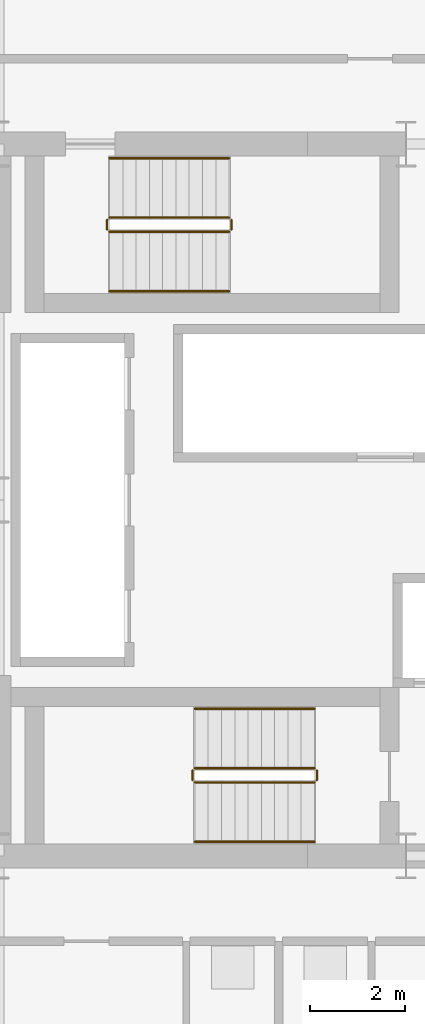
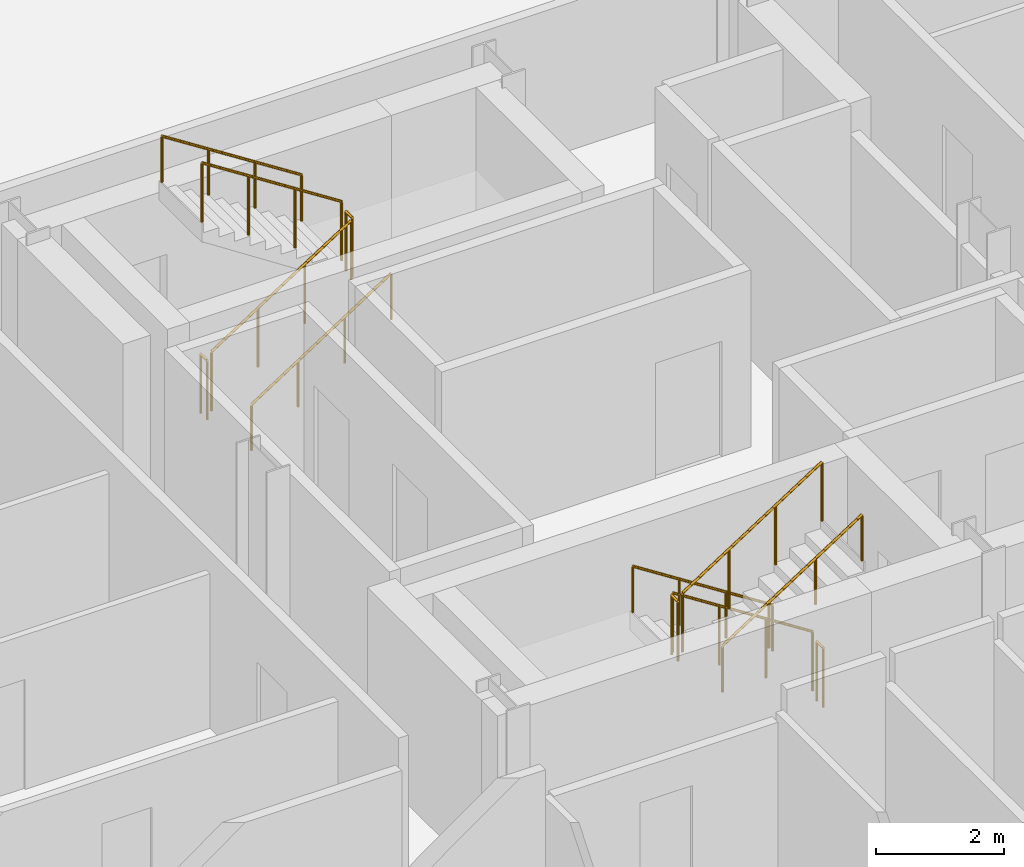
# One storey, part 22 of 23: 12 railings.
"""IFC4 building model written with IfcOpenShell, lengths in metres."""

import ifcopenshell
import ifcopenshell.guid

model = None  # the IFC model being written
_history = None  # IfcOwnerHistory: only IFC2X3 demands one
_inside = {}  # id of a spatial element -> (the spatial element, [elements in it])
_under = {}  # id of a project, library or spatial element -> (it, [spatial elements below it])
_declared = {}  # id of a project -> (the project, [libraries it declares])
_typed = {}  # id of a type object -> (the type object, [elements of that type])
_made_of = {}  # id of a material, layer set ... -> (it, [elements and type objects made of it])


def new_model(schema):
    """Start an empty IFC model of exactly this schema.

    Asked for "IFC4X3", IfcOpenShell would pick the latest addendum, in which some entities
    have other attributes; the version numbers below select the first issue.
    IFC2X3 requires an IfcOwnerHistory on every rooted entity: one is made here for all.
    """
    global model, _history
    if schema == "IFC4X3":
        model = ifcopenshell.file(schema_version=(4, 3, 0, 0))
    else:
        model = ifcopenshell.file(schema=schema)
    _inside.clear()
    _under.clear()
    _declared.clear()
    _typed.clear()
    _made_of.clear()
    _history = None
    if model.schema == "IFC2X3":
        org = make("IfcOrganization", Name="unknown")
        user = make(
            "IfcPersonAndOrganization",
            ThePerson=make("IfcPerson", FamilyName="unknown"),
            TheOrganization=org,
        )
        app = make(
            "IfcApplication",
            ApplicationDeveloper=org,
            Version="unknown",
            ApplicationFullName="unknown",
            ApplicationIdentifier="unknown",
        )
        _history = make(
            "IfcOwnerHistory",
            OwningUser=user,
            OwningApplication=app,
            ChangeAction="ADDED",
            CreationDate=0,
        )
    return model


def make(cls, **values):
    """One entity of the class cls with the attributes given. An attribute that is None is left unset."""
    return model.create_entity(
        cls, **{name: value for name, value in values.items() if value is not None}
    )


def rooted(cls, **values):
    """An entity with a GlobalId (a new one), such as an element, a storey or a relation."""
    return make(cls, GlobalId=ifcopenshell.guid.new(), OwnerHistory=_history, **values)


def si_unit(unit_type, name, prefix=None):
    """IfcSIUnit, for example si_unit("LENGTHUNIT", "METRE", prefix="MILLI")."""
    return make("IfcSIUnit", UnitType=unit_type, Prefix=prefix, Name=name)


def assignment(units):
    """IfcUnitAssignment: the units of a project."""
    return None if units is None else make("IfcUnitAssignment", Units=units)


def point(xyz):
    """IfcCartesianPoint."""
    return None if xyz is None else make("IfcCartesianPoint", Coordinates=xyz)


def direction(xyz):
    """IfcDirection."""
    return None if xyz is None else make("IfcDirection", DirectionRatios=xyz)


def frame(location, z_axis=None, x_axis=None):
    """IfcAxis2Placement3D, a coordinate frame: its origin and axes. An axis left out is left unset."""
    return make(
        "IfcAxis2Placement3D",
        Location=point(location),
        Axis=direction(z_axis),
        RefDirection=direction(x_axis),
    )


def frame_2d(location, x_axis=None):
    """IfcAxis2Placement2D, a coordinate frame in the plane: its origin and x axis."""
    return make(
        "IfcAxis2Placement2D", Location=point(location), RefDirection=direction(x_axis)
    )


def origin():
    """The frame at (0, 0, 0) with its axes left unset."""
    return frame((0.0, 0.0, 0.0))


def origin_2d():
    """The frame at (0, 0) in the plane with its x axis left unset."""
    return frame_2d((0.0, 0.0))


def place(relative_to, where):
    """IfcLocalPlacement: puts the frame where relative to a parent placement (None: the world)."""
    return make(
        "IfcLocalPlacement", PlacementRelTo=relative_to, RelativePlacement=where
    )


def context(
    kind, dimensions, precision=None, world=None, true_north=None, identifier=None
):
    """IfcGeometricRepresentationContext, for example the 3D "Model" context."""
    return make(
        "IfcGeometricRepresentationContext",
        ContextIdentifier=identifier,
        ContextType=kind,
        CoordinateSpaceDimension=dimensions,
        Precision=precision,
        WorldCoordinateSystem=world,
        TrueNorth=true_north,
    )


def subcontext(parent, identifier, kind, view, scale=None):
    """IfcGeometricRepresentationSubContext, for example "Body" below "Model"."""
    return make(
        "IfcGeometricRepresentationSubContext",
        ContextIdentifier=identifier,
        ContextType=kind,
        ParentContext=parent,
        TargetScale=scale,
        TargetView=view,
    )


def project(units=None, contexts=None):
    """IfcProject with its units and contexts."""
    return rooted(
        "IfcProject",
        Name="project",
        RepresentationContexts=contexts,
        UnitsInContext=assignment(units),
    )


def spatial(cls, under=None, at=None, **own):
    """A site, building, storey or space (cls), placed at a placement, below another one or the project."""
    s = rooted(cls, ObjectPlacement=at, **own)
    if under is not None:
        _under.setdefault(under.id(), (under, []))[1].append(s)
    return s


def profile(cls, at=None, kind="AREA", **sizes):
    """A parametric profile (cls). Its sizes go by their IFC names, for example OverallWidth=200.0."""
    return make(cls, ProfileType=kind, Position=at, **sizes)


def circle(**sizes):
    """IfcCircleProfileDef."""
    return profile("IfcCircleProfileDef", **sizes)


def extrude(swept, where, along, depth):
    """IfcExtrudedAreaSolid: the profile swept, set in the frame where, extruded along a direction by depth."""
    return make(
        "IfcExtrudedAreaSolid",
        SweptArea=swept,
        Position=where,
        ExtrudedDirection=direction(along),
        Depth=depth,
    )


def shape(context_of_items, identifier, shape_type, items):
    """IfcShapeRepresentation: the items that make up one representation, for example the "Body"."""
    return make(
        "IfcShapeRepresentation",
        ContextOfItems=context_of_items,
        RepresentationIdentifier=identifier,
        RepresentationType=shape_type,
        Items=items,
    )


def material(Name=None, Category=None):
    """IfcMaterial."""
    return make("IfcMaterial", Name=Name, Category=Category)


def made_of(thing, what):
    """Note that an element or type object is made of a material, layer set ...; save() writes the relation."""
    if what is not None:
        _made_of.setdefault(what.id(), (what, []))[1].append(thing)
    return thing


def type_object(cls, material=None, **own):
    """A type object (cls), such as IfcWallType, which elements share."""
    return made_of(rooted(cls, **own), material)


def element(
    cls,
    number,
    at=None,
    inside=None,
    cuts=None,
    type_object=None,
    material=None,
    context=None,
    identifier="Body",
    shape_type=None,
    held_by="IfcProductDefinitionShape",
    body=None,
    shapes=None,
    **own,
):
    """One element of the class cls, such as IfcWall. Its Tag is "e" and its number.

    at: its placement. inside: the storey or other place that contains it. cuts: it is an
    opening in that element (IfcRelVoidsElement). A single representation is given by context,
    identifier, shape_type and body (its items); several are given by shapes. held_by: the class
    of the entity that holds the representations. save() writes the other relations.
    """
    e = rooted(cls, Tag="e%d" % number, ObjectPlacement=at, **own)
    if body is not None:
        shapes = [shape(context, identifier, shape_type, body)]
    if shapes is not None:
        e.Representation = make(held_by, Representations=shapes)
    if inside is not None:
        _inside.setdefault(inside.id(), (inside, []))[1].append(e)
    if cuts is not None:
        rooted(
            "IfcRelVoidsElement", RelatingBuildingElement=cuts, RelatedOpeningElement=e
        )
    if type_object is not None:
        _typed.setdefault(type_object.id(), (type_object, []))[1].append(e)
    return made_of(e, material)


def aggregate(whole, parts):
    """IfcRelAggregates: a whole, such as a stair, and the parts it consists of."""
    return rooted("IfcRelAggregates", RelatingObject=whole, RelatedObjects=parts)


def save(model, path):
    """Write the relations noted so far, then the file.

    IfcRelAggregates (storeys below a building ...), IfcRelContainedInSpatialStructure (elements
    in a storey), IfcRelDefinesByType, IfcRelAssociatesMaterial and IfcRelDeclares: one each for
    every whole, place, type object, material and project.
    """
    for whole, parts in _under.values():
        aggregate(whole, parts)
    for where, things in _inside.values():
        rooted(
            "IfcRelContainedInSpatialStructure",
            RelatedElements=things,
            RelatingStructure=where,
        )
    for kind, things in _typed.values():
        rooted("IfcRelDefinesByType", RelatedObjects=things, RelatingType=kind)
    for what, things in _made_of.values():
        rooted("IfcRelAssociatesMaterial", RelatedObjects=things, RelatingMaterial=what)
    for by, libraries in _declared.values():
        rooted("IfcRelDeclares", RelatingContext=by, RelatedDefinitions=libraries)
    model.write(path)


model = new_model("IFC4")

# Units and contexts
model_context = context("Model", 3, precision=1e-05, world=origin(), true_north=direction((0.0, 1.0)))
body_context = subcontext(model_context, "Body", "Model", "MODEL_VIEW")
ifc_project = project(units=[si_unit("LENGTHUNIT", "METRE"), si_unit("AREAUNIT", "SQUARE_METRE"), si_unit("VOLUMEUNIT", "CUBIC_METRE"), si_unit("PLANEANGLEUNIT", "RADIAN"), si_unit("MASSUNIT", "GRAM", prefix="KILO")], contexts=[model_context])

# Site, building, storey
site_placement = place(None, origin())
site = spatial("IfcSite", under=ifc_project, at=site_placement, CompositionType="ELEMENT")
building_placement = place(site_placement, origin())
building = spatial("IfcBuilding", under=site, at=building_placement, Name="Barlavira Tower and Art Museum", CompositionType="ELEMENT")
storey_placement = place(building_placement, frame((0.0, 0.0, 68.39990234375)))
storey = spatial("IfcBuildingStorey", under=building, at=storey_placement, Name="L16", CompositionType="ELEMENT", Elevation=68.39990234375)

# Railings
ifc_material = material(Name="Brushed stainless steel", Category="steel")
railing_type_1 = type_object("IfcRailingType", Name="Interior Void and Landing Guard Railing 1150", PredefinedType="GUARDRAIL", material=ifc_material)
railing_1_placement = place(storey_placement, frame((0.14990234375, -5.64990234375, 0.18017578125)))
element("IfcRailing", 1, at=railing_1_placement, inside=storey, type_object=railing_type_1, Name="L16 ST-T1 stair guard 1", PredefinedType="GUARDRAIL", context=body_context, shape_type="SweptSolid", body=[
    extrude(circle(Radius=0.02392578125, at=origin_2d()), frame((0.0, 0.0, 1.1259765625), z_axis=(-0.841199657755, 0.0, 0.540724639528), x_axis=(0.0, -1.0, 0.0)), (0.0, 0.0, 1.0), 2.995849609375),
    extrude(circle(Radius=0.02099609375, at=origin_2d()), origin(), (0.0, 0.0, 1.0), 1.101806640625),
    extrude(circle(Radius=0.02099609375, at=origin_2d()), frame((-0.840087890625, 0.0, 0.5400390625)), (0.0, 0.0, 1.0), 1.101806640625),
    extrude(circle(Radius=0.02099609375, at=origin_2d()), frame((-1.679931640625, 0.0, 1.079833984375)), (0.0, 0.0, 1.0), 1.101806640625),
    extrude(circle(Radius=0.02099609375, at=origin_2d()), frame((-2.52001953125, 0.0, 1.619873046875)), (0.0, 0.0, 1.0), 1.101806640625),
])
railing_2_placement = place(storey_placement, frame((-2.419921875, -5.699951171875, 1.800048828125)))
element("IfcRailing", 2, at=railing_2_placement, inside=storey, type_object=railing_type_1, Name="L16 ST-T1 stair guard 2", PredefinedType="GUARDRAIL", context=body_context, shape_type="SweptSolid", body=[
    extrude(circle(Radius=0.02392578125, at=origin_2d()), frame((0.0, 0.0, 1.1259765625), z_axis=(0.0, -1.0, 0.0), x_axis=(1.0, 0.0, 0.0)), (0.0, 0.0, 1.0), 0.199951171875),
    extrude(circle(Radius=0.02099609375, at=origin_2d()), origin(), (0.0, 0.0, 1.0), 1.101806640625),
    extrude(circle(Radius=0.02099609375, at=origin_2d()), frame((0.0, -0.199951171875, 0.0)), (0.0, 0.0, 1.0), 1.101806640625),
])
railing_3_placement = place(storey_placement, frame((-2.3701171875, -5.949951171875, 1.97998046875)))
element("IfcRailing", 3, at=railing_3_placement, inside=storey, type_object=railing_type_1, Name="L16 ST-T1 stair guard 3", PredefinedType="GUARDRAIL", context=body_context, shape_type="SweptSolid", body=[
    extrude(circle(Radius=0.02392578125, at=origin_2d()), frame((0.0, 0.0, 1.1259765625), z_axis=(0.841162588446, 0.0, 0.540782303519), x_axis=(0.0, 1.0, 0.0)), (0.0, 0.0, 1.0), 2.995849609375),
    extrude(circle(Radius=0.02099609375, at=origin_2d()), origin(), (0.0, 0.0, 1.0), 1.101806640625),
    extrude(circle(Radius=0.02099609375, at=origin_2d()), frame((0.840087890625, 0.0, 0.5400390625)), (0.0, 0.0, 1.0), 1.101806640625),
    extrude(circle(Radius=0.02099609375, at=origin_2d()), frame((1.679931640625, 0.0, 1.080078125)), (0.0, 0.0, 1.0), 1.101806640625),
    extrude(circle(Radius=0.02099609375, at=origin_2d()), frame((2.52001953125, 0.0, 1.6201171875)), (0.0, 0.0, 1.0), 1.101806640625),
])
railing_4_placement = place(storey_placement, frame((0.199951171875, -5.699951171875, 0.0)))
element("IfcRailing", 4, at=railing_4_placement, inside=storey, type_object=railing_type_1, Name="L16 ST-T1 stair guard 4", PredefinedType="GUARDRAIL", context=body_context, shape_type="SweptSolid", body=[
    extrude(circle(Radius=0.02392578125, at=origin_2d()), frame((0.0, 0.0, 1.1259765625), z_axis=(0.0, -1.0, 0.0), x_axis=(1.0, 0.0, 0.0)), (0.0, 0.0, 1.0), 0.199951171875),
    extrude(circle(Radius=0.02099609375, at=origin_2d()), origin(), (0.0, 0.0, 1.0), 1.101806640625),
    extrude(circle(Radius=0.02099609375, at=origin_2d()), frame((0.0, -0.199951171875, 0.0)), (0.0, 0.0, 1.0), 1.101806640625),
])
railing_5_placement = place(storey_placement, frame((-4.169921875, 5.64990234375, 0.18017578125)))
element("IfcRailing", 5, at=railing_5_placement, inside=storey, type_object=railing_type_1, Name="L16 ST-T2 stair guard 1", PredefinedType="GUARDRAIL", context=body_context, shape_type="SweptSolid", body=[
    extrude(circle(Radius=0.02392578125, at=origin_2d()), frame((0.0, 0.0, 1.1259765625), z_axis=(0.841199657755, 0.0, 0.540724639528), x_axis=(0.0, 1.0, 0.0)), (0.0, 0.0, 1.0), 2.995849609375),
    extrude(circle(Radius=0.02099609375, at=origin_2d()), origin(), (0.0, 0.0, 1.0), 1.101806640625),
    extrude(circle(Radius=0.02099609375, at=origin_2d()), frame((0.840087890625, 0.0, 0.5400390625)), (0.0, 0.0, 1.0), 1.101806640625),
    extrude(circle(Radius=0.02099609375, at=origin_2d()), frame((1.679931640625, 0.0, 1.079833984375)), (0.0, 0.0, 1.0), 1.101806640625),
    extrude(circle(Radius=0.02099609375, at=origin_2d()), frame((2.52001953125, 0.0, 1.619873046875)), (0.0, 0.0, 1.0), 1.101806640625),
])
railing_6_placement = place(storey_placement, frame((-1.60009765625, 5.699951171875, 1.800048828125)))
element("IfcRailing", 6, at=railing_6_placement, inside=storey, type_object=railing_type_1, Name="L16 ST-T2 stair guard 2", PredefinedType="GUARDRAIL", context=body_context, shape_type="SweptSolid", body=[
    extrude(circle(Radius=0.02392578125, at=origin_2d()), frame((0.0, 0.0, 1.1259765625), z_axis=(0.0, 1.0, 0.0), x_axis=(-1.0, 0.0, 0.0)), (0.0, 0.0, 1.0), 0.199951171875),
    extrude(circle(Radius=0.02099609375, at=origin_2d()), origin(), (0.0, 0.0, 1.0), 1.101806640625),
    extrude(circle(Radius=0.02099609375, at=origin_2d()), frame((0.0, 0.199951171875, 0.0)), (0.0, 0.0, 1.0), 1.101806640625),
])
railing_7_placement = place(storey_placement, frame((-1.64990234375, 5.949951171875, 1.97998046875)))
element("IfcRailing", 7, at=railing_7_placement, inside=storey, type_object=railing_type_1, Name="L16 ST-T2 stair guard 3", PredefinedType="GUARDRAIL", context=body_context, shape_type="SweptSolid", body=[
    extrude(circle(Radius=0.02392578125, at=origin_2d()), frame((0.0, 0.0, 1.1259765625), z_axis=(-0.841162588446, 0.0, 0.540782303519), x_axis=(0.0, -1.0, 0.0)), (0.0, 0.0, 1.0), 2.995849609375),
    extrude(circle(Radius=0.02099609375, at=origin_2d()), origin(), (0.0, 0.0, 1.0), 1.101806640625),
    extrude(circle(Radius=0.02099609375, at=origin_2d()), frame((-0.840087890625, 0.0, 0.5400390625)), (0.0, 0.0, 1.0), 1.101806640625),
    extrude(circle(Radius=0.02099609375, at=origin_2d()), frame((-1.679931640625, 0.0, 1.080078125)), (0.0, 0.0, 1.0), 1.101806640625),
    extrude(circle(Radius=0.02099609375, at=origin_2d()), frame((-2.52001953125, 0.0, 1.6201171875)), (0.0, 0.0, 1.0), 1.101806640625),
])
railing_8_placement = place(storey_placement, frame((-4.219970703125, 5.699951171875, 0.0)))
element("IfcRailing", 8, at=railing_8_placement, inside=storey, type_object=railing_type_1, Name="L16 ST-T2 stair guard 4", PredefinedType="GUARDRAIL", context=body_context, shape_type="SweptSolid", body=[
    extrude(circle(Radius=0.02392578125, at=origin_2d()), frame((0.0, 0.0, 1.1259765625), z_axis=(0.0, 1.0, 0.0), x_axis=(-1.0, 0.0, 0.0)), (0.0, 0.0, 1.0), 0.199951171875),
    extrude(circle(Radius=0.02099609375, at=origin_2d()), origin(), (0.0, 0.0, 1.0), 1.101806640625),
    extrude(circle(Radius=0.02099609375, at=origin_2d()), frame((0.0, 0.199951171875, 0.0)), (0.0, 0.0, 1.0), 1.101806640625),
])
railing_type_2 = type_object("IfcRailingType", Name="Stair Pitch Tubular Steel Handrail 920", PredefinedType="HANDRAIL", material=ifc_material)
railing_9_placement = place(storey_placement, frame((0.14990234375, -4.39990234375, 0.18017578125)))
element("IfcRailing", 9, at=railing_9_placement, inside=storey, type_object=railing_type_2, Name="L16 ST-T1 stair handrail 1", PredefinedType="HANDRAIL", context=body_context, shape_type="SweptSolid", body=[
    extrude(circle(Radius=0.02392578125, at=origin_2d()), frame((0.0, 0.0, 0.8759765625), z_axis=(-0.841199657755, 0.0, 0.540724639528), x_axis=(0.0, -1.0, 0.0)), (0.0, 0.0, 1.0), 2.995849609375),
    extrude(circle(Radius=0.02099609375, at=origin_2d()), origin(), (0.0, 0.0, 1.0), 0.851806640625),
    extrude(circle(Radius=0.02099609375, at=origin_2d()), frame((-0.840087890625, 0.0, 0.5400390625)), (0.0, 0.0, 1.0), 0.851806640625),
    extrude(circle(Radius=0.02099609375, at=origin_2d()), frame((-1.679931640625, 0.0, 1.079833984375)), (0.0, 0.0, 1.0), 0.851806640625),
    extrude(circle(Radius=0.02099609375, at=origin_2d()), frame((-2.52001953125, 0.0, 1.619873046875)), (0.0, 0.0, 1.0), 0.851806640625),
])
railing_10_placement = place(storey_placement, frame((-2.3701171875, -7.199951171875, 1.97998046875)))
element("IfcRailing", 10, at=railing_10_placement, inside=storey, type_object=railing_type_2, Name="L16 ST-T1 stair handrail 2", PredefinedType="HANDRAIL", context=body_context, shape_type="SweptSolid", body=[
    extrude(circle(Radius=0.02392578125, at=origin_2d()), frame((0.0, 0.0, 0.8759765625), z_axis=(0.841162588446, 0.0, 0.540782303519), x_axis=(0.0, 1.0, 0.0)), (0.0, 0.0, 1.0), 2.995849609375),
    extrude(circle(Radius=0.02099609375, at=origin_2d()), origin(), (0.0, 0.0, 1.0), 0.851806640625),
    extrude(circle(Radius=0.02099609375, at=origin_2d()), frame((0.840087890625, 0.0, 0.5400390625)), (0.0, 0.0, 1.0), 0.851806640625),
    extrude(circle(Radius=0.02099609375, at=origin_2d()), frame((1.679931640625, 0.0, 1.080078125)), (0.0, 0.0, 1.0), 0.851806640625),
    extrude(circle(Radius=0.02099609375, at=origin_2d()), frame((2.52001953125, 0.0, 1.6201171875)), (0.0, 0.0, 1.0), 0.851806640625),
])
railing_11_placement = place(storey_placement, frame((-4.169921875, 4.39990234375, 0.18017578125)))
element("IfcRailing", 11, at=railing_11_placement, inside=storey, type_object=railing_type_2, Name="L16 ST-T2 stair handrail 1", PredefinedType="HANDRAIL", context=body_context, shape_type="SweptSolid", body=[
    extrude(circle(Radius=0.02392578125, at=origin_2d()), frame((0.0, 0.0, 0.8759765625), z_axis=(0.841199657755, 0.0, 0.540724639528), x_axis=(0.0, 1.0, 0.0)), (0.0, 0.0, 1.0), 2.995849609375),
    extrude(circle(Radius=0.02099609375, at=origin_2d()), origin(), (0.0, 0.0, 1.0), 0.851806640625),
    extrude(circle(Radius=0.02099609375, at=origin_2d()), frame((0.840087890625, 0.0, 0.5400390625)), (0.0, 0.0, 1.0), 0.851806640625),
    extrude(circle(Radius=0.02099609375, at=origin_2d()), frame((1.679931640625, 0.0, 1.079833984375)), (0.0, 0.0, 1.0), 0.851806640625),
    extrude(circle(Radius=0.02099609375, at=origin_2d()), frame((2.52001953125, 0.0, 1.619873046875)), (0.0, 0.0, 1.0), 0.851806640625),
])
railing_12_placement = place(storey_placement, frame((-1.64990234375, 7.199951171875, 1.97998046875)))
element("IfcRailing", 12, at=railing_12_placement, inside=storey, type_object=railing_type_2, Name="L16 ST-T2 stair handrail 2", PredefinedType="HANDRAIL", context=body_context, shape_type="SweptSolid", body=[
    extrude(circle(Radius=0.02392578125, at=origin_2d()), frame((0.0, 0.0, 0.8759765625), z_axis=(-0.841162588446, 0.0, 0.540782303519), x_axis=(0.0, -1.0, 0.0)), (0.0, 0.0, 1.0), 2.995849609375),
    extrude(circle(Radius=0.02099609375, at=origin_2d()), origin(), (0.0, 0.0, 1.0), 0.851806640625),
    extrude(circle(Radius=0.02099609375, at=origin_2d()), frame((-0.840087890625, 0.0, 0.5400390625)), (0.0, 0.0, 1.0), 0.851806640625),
    extrude(circle(Radius=0.02099609375, at=origin_2d()), frame((-1.679931640625, 0.0, 1.080078125)), (0.0, 0.0, 1.0), 0.851806640625),
    extrude(circle(Radius=0.02099609375, at=origin_2d()), frame((-2.52001953125, 0.0, 1.6201171875)), (0.0, 0.0, 1.0), 0.851806640625),
])

save(model, "model.ifc")
